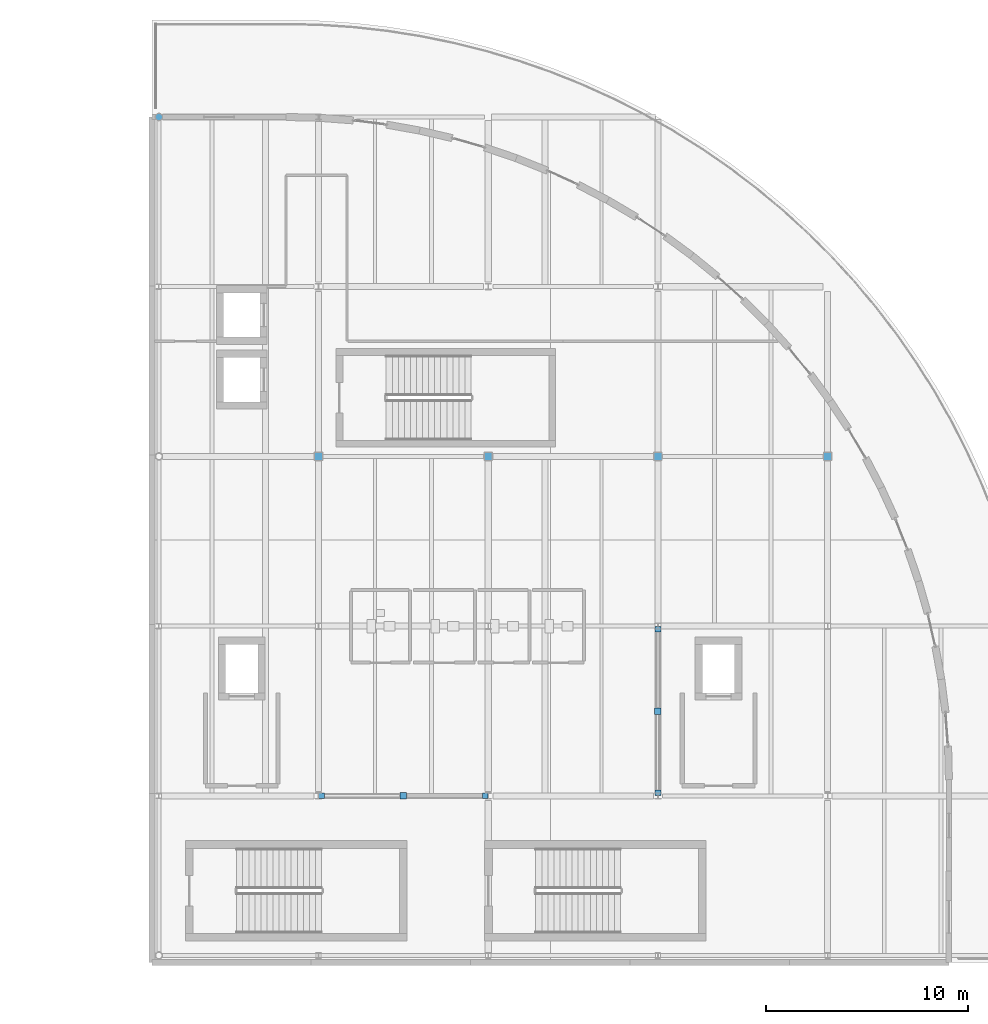
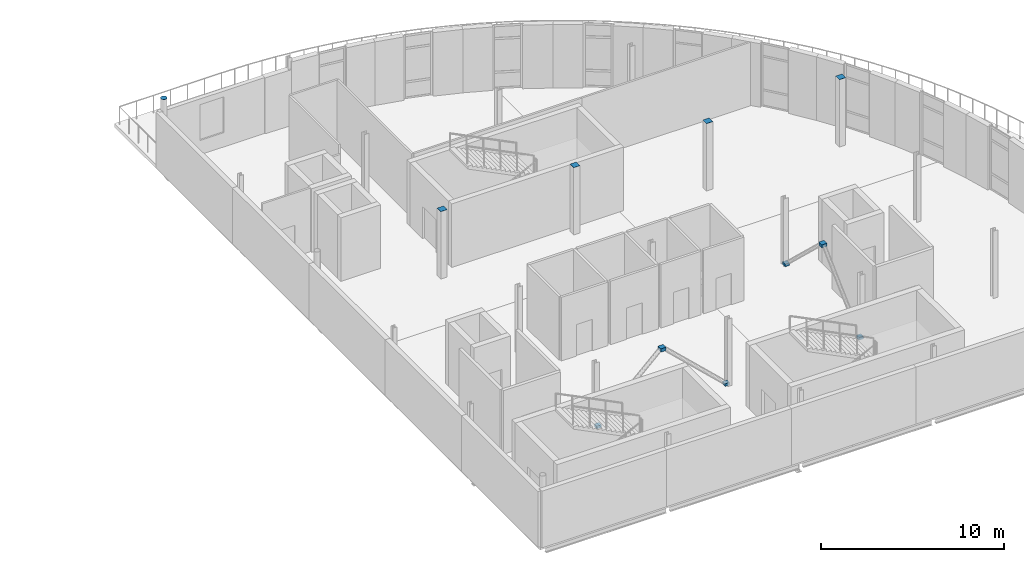
# One storey, part 33 of 40: 11 discrete accessories.
"""IFC4 building model written with IfcOpenShell, lengths in metres."""

from ifc_helpers import new_model, si_unit, direction, frame, origin, origin_2d, place, context, subcontext, project, spatial, rectangle, circle, extrude, material, type_object, element, save


model = new_model("IFC4")

# Units and contexts
model_context = context("Model", 3, precision=1e-05, world=origin(), true_north=direction((0.0, 1.0)))
body_context = subcontext(model_context, "Body", "Model", "MODEL_VIEW")
ifc_project = project(units=[si_unit("LENGTHUNIT", "METRE"), si_unit("AREAUNIT", "SQUARE_METRE"), si_unit("VOLUMEUNIT", "CUBIC_METRE"), si_unit("PLANEANGLEUNIT", "RADIAN"), si_unit("MASSUNIT", "GRAM", prefix="KILO"), si_unit("THERMODYNAMICTEMPERATUREUNIT", "KELVIN")], contexts=[model_context])

# Site, building, storey
site_placement = place(None, origin())
site = spatial("IfcSite", under=ifc_project, at=site_placement, CompositionType="ELEMENT")
building_placement = place(site_placement, origin())
building = spatial("IfcBuilding", under=site, at=building_placement, Name="Lustrewick Department Store", CompositionType="ELEMENT")
storey_placement = place(building_placement, frame((0.0, 0.0, 31.800048828125)))
storey = spatial("IfcBuildingStorey", under=building, at=storey_placement, Name="L07", CompositionType="ELEMENT", Elevation=31.800048828125)

# Discrete accessories
ifc_material = material(Name="Structural steel Q355C", Category="steel")
discrete_accessory_type_1 = type_object("IfcDiscreteAccessoryType", Name="GUS-NODE", PredefinedType="BRACKET", material=ifc_material)
for number, where, z_axis, x_axis, name in (
    (1, (117.7470703125, 58.800048828125, 0.06005859375), (0.0, 0.0, 1.0), (1.0, 0.0, 0.0), "L07 V4 Brace Base Gusset Plate"),
    (2, (125.85302734375, 58.800048828125, 0.06005859375), (0.0, 0.0, 1.0), (1.0, 0.0, 0.0), "L07 V4 Brace Base Gusset Plate"),
):
    element("IfcDiscreteAccessory", number, at=place(storey_placement, frame(where, z_axis=z_axis, x_axis=x_axis)), inside=storey, type_object=discrete_accessory_type_1, Name=name, PredefinedType="BRACKET", context=body_context, shape_type="SweptSolid", body=[
        extrude(rectangle(XDim=0.280029296875, YDim=0.280029296875, at=origin_2d()), origin(), (0.0, 0.0, 1.0), 0.179931640625),
    ])
discrete_accessory_1_placement = place(storey_placement, frame((121.800048828125, 58.800048828125, 3.78515625), z_axis=(0.0, 0.0, 1.0), x_axis=(1.0, 0.0, 0.0)))
element("IfcDiscreteAccessory", 3, at=discrete_accessory_1_placement, inside=storey, type_object=discrete_accessory_type_1, Name="L07 V4 Chevron Brace Apex Gusset Plate", PredefinedType="BRACKET", context=body_context, shape_type="SweptSolid", body=[
    extrude(rectangle(XDim=0.320068359375, YDim=0.320068359375, at=origin_2d()), origin(), (0.0, 0.0, 1.0), 0.219970703125),
])
for number, where, z_axis, x_axis, name in (
    (4, (134.39990234375, 58.947021484375, 0.06005859375), (0.0, 0.0, 1.0), (1.0, 0.0, 0.0), "L07 V4 Brace Base Gusset Plate"),
    (5, (134.39990234375, 67.052978515625, 0.06005859375), (0.0, 0.0, 1.0), (1.0, 0.0, 0.0), "L07 V4 Brace Base Gusset Plate"),
):
    element("IfcDiscreteAccessory", number, at=place(storey_placement, frame(where, z_axis=z_axis, x_axis=x_axis)), inside=storey, type_object=discrete_accessory_type_1, Name=name, PredefinedType="BRACKET", context=body_context, shape_type="SweptSolid", body=[
        extrude(rectangle(XDim=0.280029296875, YDim=0.280029296875, at=origin_2d()), origin(), (0.0, 0.0, 1.0), 0.179931640625),
    ])
discrete_accessory_2_placement = place(storey_placement, frame((134.39990234375, 63.0, 3.78515625), z_axis=(0.0, 0.0, 1.0), x_axis=(1.0, 0.0, 0.0)))
element("IfcDiscreteAccessory", 6, at=discrete_accessory_2_placement, inside=storey, type_object=discrete_accessory_type_1, Name="L07 V4 Chevron Brace Apex Gusset Plate", PredefinedType="BRACKET", context=body_context, shape_type="SweptSolid", body=[
    extrude(rectangle(XDim=0.320068359375, YDim=0.320068359375, at=origin_2d()), origin(), (0.0, 0.0, 1.0), 0.219970703125),
])
discrete_accessory_type_2 = type_object("IfcDiscreteAccessoryType", Name="ECP-01", PredefinedType="USERDEFINED", material=ifc_material)
for number, where, z_axis, x_axis, name in (
    (7, (142.800048828125, 75.60009765625, 4.493896484375), (0.0, 0.0, 1.0), (1.0, 0.0, 0.0), "L07 Welded Hollow-Section End-Cap Plate ECP-01"),
    (8, (134.39990234375, 75.60009765625, 4.493896484375), (0.0, 0.0, 1.0), (1.0, 0.0, 0.0), "L07 Welded Hollow-Section End-Cap Plate ECP-01"),
    (9, (117.60009765625, 75.60009765625, 4.493896484375), (0.0, 0.0, 1.0), (1.0, 0.0, 0.0), "L07 Welded Hollow-Section End-Cap Plate ECP-01"),
):
    element("IfcDiscreteAccessory", number, at=place(storey_placement, frame(where, z_axis=z_axis, x_axis=x_axis)), inside=storey, type_object=discrete_accessory_type_2, Name=name, ObjectType="END_CAP_PLATE", PredefinedType="USERDEFINED", context=body_context, shape_type="SweptSolid", body=[
        extrude(rectangle(XDim=0.39990234375, YDim=0.39990234375, at=origin_2d()), origin(), (0.0, 0.0, 1.0), 0.01611328125),
    ])
discrete_accessory_3_placement = place(storey_placement, frame((109.699951171875, 92.39990234375, 4.493896484375), z_axis=(0.0, 0.0, 1.0), x_axis=(1.0, 0.0, 0.0)))
element("IfcDiscreteAccessory", 10, at=discrete_accessory_3_placement, inside=storey, type_object=discrete_accessory_type_2, Name="L07 Welded Hollow-Section End-Cap Plate ECP-01", ObjectType="END_CAP_PLATE", PredefinedType="USERDEFINED", context=body_context, shape_type="SweptSolid", body=[
    extrude(circle(Radius=0.177978515625, at=origin_2d()), origin(), (0.0, 0.0, 1.0), 0.01611328125),
])
discrete_accessory_4_placement = place(storey_placement, frame((126.0, 75.60009765625, 4.493896484375), z_axis=(0.0, 0.0, 1.0), x_axis=(1.0, 0.0, 0.0)))
element("IfcDiscreteAccessory", 11, at=discrete_accessory_4_placement, inside=storey, type_object=discrete_accessory_type_2, Name="L07 Welded Hollow-Section End-Cap Plate ECP-01", ObjectType="END_CAP_PLATE", PredefinedType="USERDEFINED", context=body_context, shape_type="SweptSolid", body=[
    extrude(rectangle(XDim=0.39990234375, YDim=0.39990234375, at=origin_2d()), origin(), (0.0, 0.0, 1.0), 0.01611328125),
])

save(model, "model.ifc")
